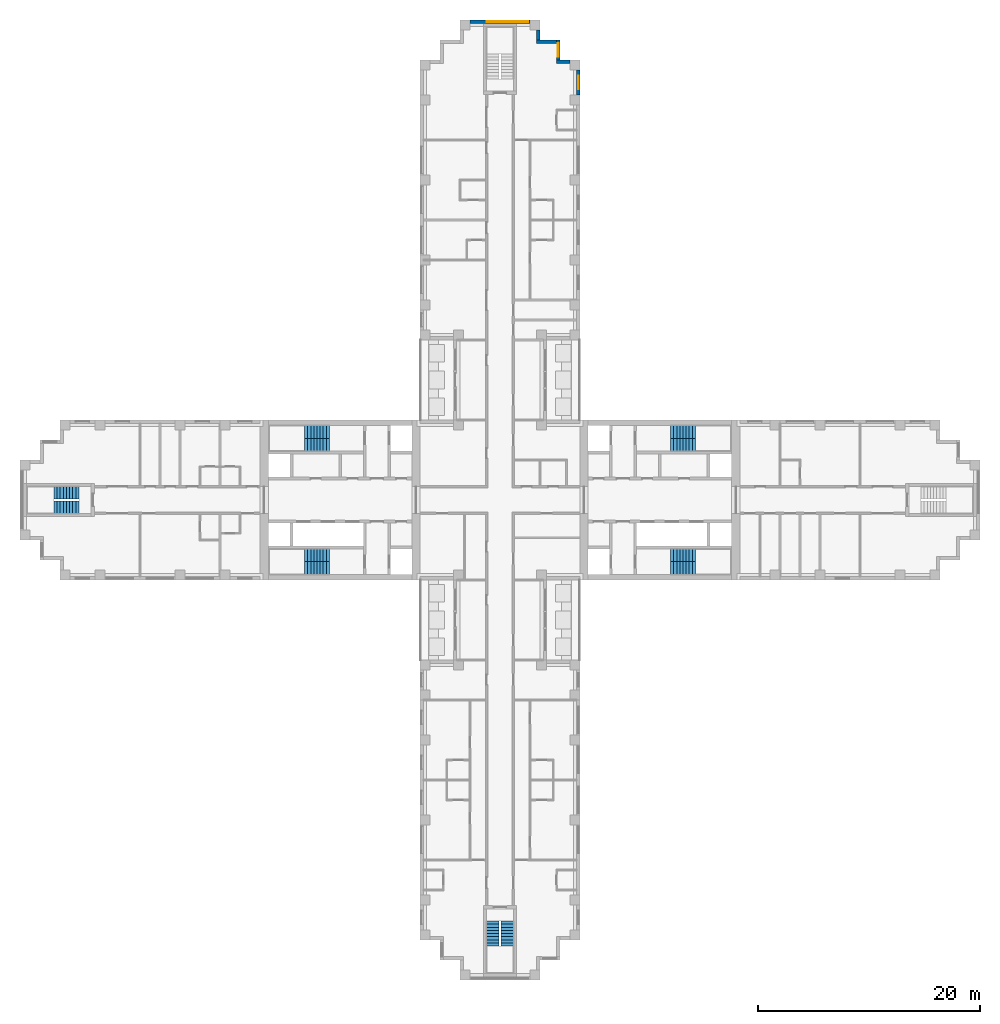
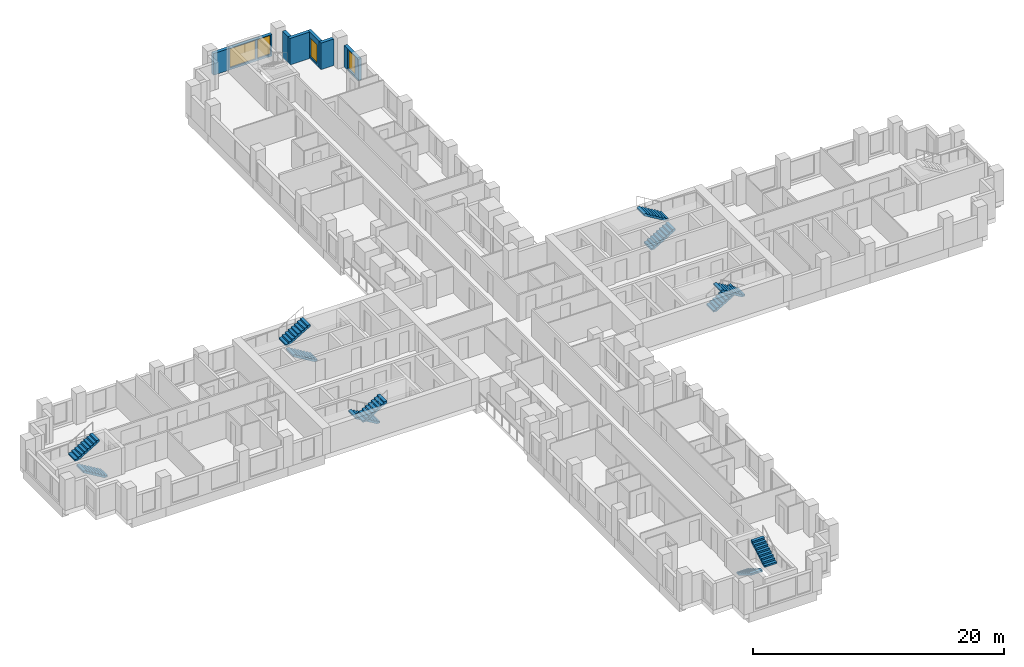
# One storey, part 12 of 15: 12 stair flights, 6 walls, 4 windows, 4 openings, 6 elements without a shape of their own.
"""IFC4 building model written with IfcOpenShell, lengths in metres."""

from ifc_helpers import new_model, si_unit, direction, frame, frame_2d, origin, place, context, subcontext, project, spatial, polyline, rectangle, outline, extrude, material, layer, layer_set, type_object, element, fill, aggregate, save


model = new_model("IFC4")

# Units and contexts
model_context = context("Model", 3, precision=1e-05, world=origin(), true_north=direction((0.0, 1.0)))
body_context = subcontext(model_context, "Body", "Model", "MODEL_VIEW")
ifc_project = project(units=[si_unit("LENGTHUNIT", "METRE"), si_unit("AREAUNIT", "SQUARE_METRE"), si_unit("VOLUMEUNIT", "CUBIC_METRE"), si_unit("PLANEANGLEUNIT", "RADIAN"), si_unit("MASSUNIT", "GRAM", prefix="KILO")], contexts=[model_context])

# Site, building, storey
site_placement = place(None, origin())
site = spatial("IfcSite", under=ifc_project, at=site_placement, CompositionType="ELEMENT")
building_placement = place(site_placement, origin())
building = spatial("IfcBuilding", under=site, at=building_placement, Name="Fustian Cross Tower", CompositionType="ELEMENT")
storey_placement = place(building_placement, frame((0.0, 0.0, 47.699951171875)))
storey = spatial("IfcBuildingStorey", under=building, at=storey_placement, Name="L14", CompositionType="ELEMENT", Elevation=47.699951171875)

# Wall, opening, window
ifc_material_1 = material(Name="Dark aluminium cladding on insulated backing wall", Category="aluminium")
ifc_layer = layer(ifc_material_1, 0.300048828125)
ifc_layer_set = layer_set([ifc_layer], Name="Dark aluminium cladding on insulated backing wall")
wall_type = type_object("IfcWallType", Name="XW1 EXTERNAL WALL 300", PredefinedType="SOLIDWALL", material=ifc_layer_set)
wall_1_placement = place(storey_placement, frame((7.050048828125, 36.449951171875, 0.0), z_axis=(0.0, 0.0, 1.0), x_axis=(0.0, 1.0, 0.0)))
wall_1 = element("IfcWall", 1, at=wall_1_placement, inside=storey, type_object=wall_type, Name="External wall", PredefinedType="SOLIDWALL", context=body_context, shape_type="SweptSolid", body=[
    extrude(rectangle(XDim=2.25, YDim=0.300048828125, at=frame_2d((1.125, 0.0))), origin(), (0.0, 0.0, 1.0), 2.10009765625),
])
opening_1_placement = place(wall_1_placement, frame((0.52490234375, 0.0, 0.199951171875)))
opening_1 = element("IfcOpeningElement", 2, at=opening_1_placement, cuts=wall_1, Name="Opening WN3", PredefinedType="OPENING", context=body_context, shape_type="SweptSolid", body=[
    extrude(rectangle(XDim=1.199951171875, YDim=1.85009765625, at=frame_2d((0.60009765625, 0.925048828125))), frame((0.0, 0.159912109375, 0.0), z_axis=(0.0, -1.0, 0.0), x_axis=(1.0, 0.0, 0.0)), (0.0, 0.0, 1.0), 0.320068359375),
])
ifc_material_2 = material(Name="Dark anodised aluminium and double glazing", Category="aluminium")
window_type_1 = type_object("IfcWindowType", Name="WN3 WINDOW 1200X1850", PartitioningType="SINGLE_PANEL", PredefinedType="WINDOW", material=ifc_material_2)
window_1_placement = place(opening_1_placement, origin())
window_1 = element("IfcWindow", 3, at=window_1_placement, inside=storey, type_object=window_type_1, Name="Window", OverallHeight=1.85009765625, OverallWidth=1.199951171875, PartitioningType="SINGLE_PANEL", PredefinedType="WINDOW", context=body_context, shape_type="SweptSolid", body=[
    extrude(rectangle(XDim=1.199951171875, YDim=1.85009765625, at=frame_2d((0.60009765625, 0.925048828125))), frame((0.0, 0.030029296875, 0.0), z_axis=(0.0, -1.0, 0.0), x_axis=(1.0, 0.0, 0.0)), (0.0, 0.0, 1.0), 0.06005859375),
])
fill(opening_1, window_1)

# Wall
wall_2_placement = place(storey_placement, frame((6.300048828125, 39.449951171875, 0.0), z_axis=(0.0, 0.0, 1.0), x_axis=(-1.0, 0.0, 0.0)))
element("IfcWall", 4, at=wall_2_placement, inside=storey, type_object=wall_type, Name="External wall", PredefinedType="SOLIDWALL", context=body_context, shape_type="SweptSolid", body=[
    extrude(rectangle(XDim=1.199951171875, YDim=0.300048828125, at=frame_2d((0.60009765625, 0.0))), origin(), (0.0, 0.0, 1.0), 2.574951171875),
])

# Wall, opening, window
wall_3_placement = place(storey_placement, frame((5.25, 39.60009765625, 0.0), z_axis=(0.0, 0.0, 1.0), x_axis=(0.0, 1.0, 0.0)))
wall_3 = element("IfcWall", 5, at=wall_3_placement, inside=storey, type_object=wall_type, Name="External wall", PredefinedType="SOLIDWALL", context=body_context, shape_type="SweptSolid", body=[
    extrude(rectangle(XDim=1.7998046875, YDim=0.300048828125, at=frame_2d((0.89990234375, 0.0))), origin(), (0.0, 0.0, 1.0), 2.574951171875),
])
opening_2_placement = place(wall_3_placement, frame((0.300048828125, 0.0, 0.199951171875)))
opening_2 = element("IfcOpeningElement", 6, at=opening_2_placement, cuts=wall_3, Name="Opening WN3", PredefinedType="OPENING", context=body_context, shape_type="SweptSolid", body=[
    extrude(rectangle(XDim=1.199951171875, YDim=1.85009765625, at=frame_2d((0.60009765625, 0.925048828125))), frame((0.0, 0.159912109375, 0.0), z_axis=(0.0, -1.0, 0.0), x_axis=(1.0, 0.0, 0.0)), (0.0, 0.0, 1.0), 0.320068359375),
])
window_2_placement = place(opening_2_placement, origin())
window_2 = element("IfcWindow", 7, at=window_2_placement, inside=storey, type_object=window_type_1, Name="Window", OverallHeight=1.85009765625, OverallWidth=1.199951171875, PartitioningType="SINGLE_PANEL", PredefinedType="WINDOW", context=body_context, shape_type="SweptSolid", body=[
    extrude(rectangle(XDim=1.199951171875, YDim=1.85009765625, at=frame_2d((0.60009765625, 0.925048828125))), frame((0.0, 0.030029296875, 0.0), z_axis=(0.0, -1.0, 0.0), x_axis=(1.0, 0.0, 0.0)), (0.0, 0.0, 1.0), 0.06005859375),
])
fill(opening_2, window_2)

# Walls
wall_4_placement = place(storey_placement, frame((5.10009765625, 41.25, 0.0), z_axis=(0.0, 0.0, 1.0), x_axis=(-1.0, 0.0, 0.0)))
element("IfcWall", 8, at=wall_4_placement, inside=storey, type_object=wall_type, Name="External wall", PredefinedType="SOLIDWALL", context=body_context, shape_type="SweptSolid", body=[
    extrude(rectangle(XDim=1.800048828125, YDim=0.300048828125, at=frame_2d((0.89990234375, 0.0))), origin(), (0.0, 0.0, 1.0), 2.574951171875),
])
wall_5_placement = place(storey_placement, frame((3.449951171875, 41.39990234375, 0.0), z_axis=(0.0, 0.0, 1.0), x_axis=(0.0, 1.0, 0.0)))
element("IfcWall", 9, at=wall_5_placement, inside=storey, type_object=wall_type, Name="External wall", PredefinedType="SOLIDWALL", context=body_context, shape_type="SweptSolid", body=[
    extrude(rectangle(XDim=0.900146484375, YDim=0.300048828125, at=frame_2d((0.4501953125, 0.0))), origin(), (0.0, 0.0, 1.0), 2.574951171875),
])

# Wall, openings, windows
wall_6_placement = place(storey_placement, frame((2.699951171875, 43.050048828125, 0.0), z_axis=(0.0, 0.0, 1.0), x_axis=(-1.0, 0.0, 0.0)))
wall_6 = element("IfcWall", 10, at=wall_6_placement, inside=storey, type_object=wall_type, Name="External wall", PredefinedType="SOLIDWALL", context=body_context, shape_type="SweptSolid", body=[
    extrude(rectangle(XDim=5.39990234375, YDim=0.300048828125, at=frame_2d((2.699951171875, 0.0))), origin(), (0.0, 0.0, 1.0), 2.10009765625),
])
opening_3_placement = place(wall_6_placement, frame((1.5, 0.0, 0.199951171875)))
opening_3 = element("IfcOpeningElement", 11, at=opening_3_placement, cuts=wall_6, Name="Opening WN1", PredefinedType="OPENING", context=body_context, shape_type="SweptSolid", body=[
    extrude(rectangle(XDim=2.39990234375, YDim=1.85009765625, at=frame_2d((1.199951171875, 0.925048828125))), frame((0.0, 0.159912109375, 0.0), z_axis=(0.0, -1.0, 0.0), x_axis=(1.0, 0.0, 0.0)), (0.0, 0.0, 1.0), 0.320068359375),
])
opening_4_placement = place(wall_6_placement, frame((0.14990234375, 0.0, 0.199951171875)))
opening_4 = element("IfcOpeningElement", 12, at=opening_4_placement, cuts=wall_6, Name="Opening WN3", PredefinedType="OPENING", context=body_context, shape_type="SweptSolid", body=[
    extrude(rectangle(XDim=1.199951171875, YDim=1.85009765625, at=frame_2d((0.60009765625, 0.925048828125))), frame((0.0, 0.159912109375, 0.0), z_axis=(0.0, -1.0, 0.0), x_axis=(1.0, 0.0, 0.0)), (0.0, 0.0, 1.0), 0.320068359375),
])
ifc_material_3 = material(Name="Dark anodised aluminium and double glazing", Category="aluminium")
window_type_2 = type_object("IfcWindowType", Name="WN1 WINDOW 2400X1850", PartitioningType="SINGLE_PANEL", PredefinedType="WINDOW", material=ifc_material_3)
window_3_placement = place(opening_3_placement, origin())
window_3 = element("IfcWindow", 13, at=window_3_placement, inside=storey, type_object=window_type_2, Name="Window", OverallHeight=1.85009765625, OverallWidth=2.39990234375, PartitioningType="SINGLE_PANEL", PredefinedType="WINDOW", context=body_context, shape_type="SweptSolid", body=[
    extrude(rectangle(XDim=2.39990234375, YDim=1.85009765625, at=frame_2d((1.199951171875, 0.925048828125))), frame((0.0, 0.030029296875, 0.0), z_axis=(0.0, -1.0, 0.0), x_axis=(1.0, 0.0, 0.0)), (0.0, 0.0, 1.0), 0.06005859375),
])
fill(opening_3, window_3)
window_4_placement = place(opening_4_placement, origin())
window_4 = element("IfcWindow", 14, at=window_4_placement, inside=storey, type_object=window_type_1, Name="Window", OverallHeight=1.85009765625, OverallWidth=1.199951171875, PartitioningType="SINGLE_PANEL", PredefinedType="WINDOW", context=body_context, shape_type="SweptSolid", body=[
    extrude(rectangle(XDim=1.199951171875, YDim=1.85009765625, at=frame_2d((0.60009765625, 0.925048828125))), frame((0.0, 0.030029296875, 0.0), z_axis=(0.0, -1.0, 0.0), x_axis=(1.0, 0.0, 0.0)), (0.0, 0.0, 1.0), 0.06005859375),
])
fill(opening_4, window_4)

# Stair, stair flights
ifc_material_4 = material(Name="Concrete C50/60", Category="concrete")
stair_type_1 = type_object("IfcStairType", Name="STAIR 1100 HALF TURN", PredefinedType="HALF_TURN_STAIR", material=ifc_material_4)
stair_1_placement = place(storey_placement, origin())
stair_1 = element("IfcStair", 15, at=stair_1_placement, inside=storey, type_object=stair_type_1, Name="Stair ST6", PredefinedType="HALF_TURN_STAIR")
ifc_material_5 = material(Name="Concrete C50/60", Category="concrete")
stair_flight_type_1 = type_object("IfcStairFlightType", Name="STAIR FLIGHT 1100", PredefinedType="STRAIGHT", material=ifc_material_5)
stair_flight_1_placement = place(storey_placement, frame((-0.64990234375, -37.89990234375, 0.0), z_axis=(0.0, 0.0, 1.0), x_axis=(0.0, -1.0, 0.0)))
stair_flight_1 = element("IfcStairFlight", 16, at=stair_flight_1_placement, type_object=stair_flight_type_1, Name="ST6 flight 1", NumberOfRisers=9, NumberOfTreads=8, PredefinedType="STRAIGHT", RiserHeight=0.166666667, TreadLength=0.28, context=body_context, shape_type="SweptSolid", body=[
    extrude(outline(polyline([(0.0, 0.0), (0.0, 0.166748046875), (0.280029296875, 0.166748046875), (0.280029296875, 0.333251953125), (0.56005859375, 0.333251953125), (0.56005859375, 0.5), (0.840087890625, 0.5), (0.840087890625, 0.666748046875), (1.1201171875, 0.666748046875), (1.1201171875, 0.833251953125), (1.39990234375, 0.833251953125), (1.39990234375, 1.0), (1.679931640625, 1.0), (1.679931640625, 1.166748046875), (1.9599609375, 1.166748046875), (1.9599609375, 1.333251953125), (2.239990234375, 1.333251953125), (2.239990234375, 1.5), (2.239990234375, 1.158935546875), (0.29296875, 0.0), (0.0, 0.0)])), frame((0.0, 0.550048828125, 0.0), z_axis=(0.0, -1.0, 0.0), x_axis=(1.0, 0.0, 0.0)), (0.0, 0.0, 1.0), 1.10009765625),
])
stair_flight_2_placement = place(storey_placement, frame((0.64990234375, -40.139892578125, 1.5), z_axis=(0.0, 0.0, 1.0), x_axis=(0.0, 1.0, 0.0)))
stair_flight_2 = element("IfcStairFlight", 17, at=stair_flight_2_placement, type_object=stair_flight_type_1, Name="ST6 flight 2", NumberOfRisers=9, NumberOfTreads=8, PredefinedType="STRAIGHT", RiserHeight=0.166666667, TreadLength=0.28, context=body_context, shape_type="SweptSolid", body=[
    extrude(outline(polyline([(0.0, 0.0), (0.0, 0.166748046875), (0.280029296875, 0.166748046875), (0.280029296875, 0.333251953125), (0.56005859375, 0.333251953125), (0.56005859375, 0.5), (0.840087890625, 0.5), (0.840087890625, 0.666748046875), (1.1201171875, 0.666748046875), (1.1201171875, 0.833251953125), (1.39990234375, 0.833251953125), (1.39990234375, 1.0), (1.679931640625, 1.0), (1.679931640625, 1.166748046875), (1.9599609375, 1.166748046875), (1.9599609375, 1.333251953125), (2.239990234375, 1.333251953125), (2.239990234375, 1.5), (2.239990234375, 1.158935546875), (0.29296875, 0.0), (0.0, 0.0)])), frame((0.0, 0.550048828125, 0.0), z_axis=(0.0, -1.0, 0.0), x_axis=(1.0, 0.0, 0.0)), (0.0, 0.0, 1.0), 1.10009765625),
])
aggregate(stair_1, [stair_flight_1, stair_flight_2])

stair_2_placement = place(storey_placement, origin())
stair_2 = element("IfcStair", 18, at=stair_2_placement, inside=storey, type_object=stair_type_1, Name="Stair ST9", PredefinedType="HALF_TURN_STAIR")
stair_flight_3_placement = place(storey_placement, frame((-37.89990234375, -0.64990234375, 0.0), z_axis=(0.0, 0.0, 1.0), x_axis=(-1.0, 0.0, 0.0)))
stair_flight_3 = element("IfcStairFlight", 19, at=stair_flight_3_placement, type_object=stair_flight_type_1, Name="ST9 flight 1", NumberOfRisers=9, NumberOfTreads=8, PredefinedType="STRAIGHT", RiserHeight=0.166666667, TreadLength=0.28, context=body_context, shape_type="SweptSolid", body=[
    extrude(outline(polyline([(0.0, 0.0), (0.0, 0.166748046875), (0.280029296875, 0.166748046875), (0.280029296875, 0.333251953125), (0.56005859375, 0.333251953125), (0.56005859375, 0.5), (0.840087890625, 0.5), (0.840087890625, 0.666748046875), (1.1201171875, 0.666748046875), (1.1201171875, 0.833251953125), (1.39990234375, 0.833251953125), (1.39990234375, 1.0), (1.679931640625, 1.0), (1.679931640625, 1.166748046875), (1.9599609375, 1.166748046875), (1.9599609375, 1.333251953125), (2.239990234375, 1.333251953125), (2.239990234375, 1.5), (2.239990234375, 1.158935546875), (0.29296875, 0.0), (0.0, 0.0)])), frame((0.0, 0.550048828125, 0.0), z_axis=(0.0, -1.0, 0.0), x_axis=(1.0, 0.0, 0.0)), (0.0, 0.0, 1.0), 1.10009765625),
])
stair_flight_4_placement = place(storey_placement, frame((-40.139892578125, 0.64990234375, 1.5), z_axis=(0.0, 0.0, 1.0), x_axis=(1.0, 0.0, 0.0)))
stair_flight_4 = element("IfcStairFlight", 20, at=stair_flight_4_placement, type_object=stair_flight_type_1, Name="ST9 flight 2", NumberOfRisers=9, NumberOfTreads=8, PredefinedType="STRAIGHT", RiserHeight=0.166666667, TreadLength=0.28, context=body_context, shape_type="SweptSolid", body=[
    extrude(outline(polyline([(0.0, 0.0), (0.0, 0.166748046875), (0.280029296875, 0.166748046875), (0.280029296875, 0.333251953125), (0.56005859375, 0.333251953125), (0.56005859375, 0.5), (0.840087890625, 0.5), (0.840087890625, 0.666748046875), (1.1201171875, 0.666748046875), (1.1201171875, 0.833251953125), (1.39990234375, 0.833251953125), (1.39990234375, 1.0), (1.679931640625, 1.0), (1.679931640625, 1.166748046875), (1.9599609375, 1.166748046875), (1.9599609375, 1.333251953125), (2.239990234375, 1.333251953125), (2.239990234375, 1.5), (2.239990234375, 1.158935546875), (0.29296875, 0.0), (0.0, 0.0)])), frame((0.0, 0.550048828125, 0.0), z_axis=(0.0, -1.0, 0.0), x_axis=(1.0, 0.0, 0.0)), (0.0, 0.0, 1.0), 1.10009765625),
])
aggregate(stair_2, [stair_flight_3, stair_flight_4])

ifc_material_6 = material(Name="Concrete C50/60", Category="concrete")
stair_type_2 = type_object("IfcStairType", Name="STAIR 1150 HALF TURN", PredefinedType="HALF_TURN_STAIR", material=ifc_material_6)
stair_3_placement = place(storey_placement, origin())
stair_3 = element("IfcStair", 21, at=stair_3_placement, inside=storey, type_object=stair_type_2, Name="Stair ST1", PredefinedType="HALF_TURN_STAIR")
ifc_material_7 = material(Name="Concrete C50/60", Category="concrete")
stair_flight_type_2 = type_object("IfcStairFlightType", Name="STAIR FLIGHT 1150", PredefinedType="STRAIGHT", material=ifc_material_7)
stair_flight_5_placement = place(storey_placement, frame((15.35009765625, 4.97509765625, 0.0), z_axis=(0.0, 0.0, 1.0), x_axis=(1.0, 0.0, 0.0)))
stair_flight_5 = element("IfcStairFlight", 22, at=stair_flight_5_placement, type_object=stair_flight_type_2, Name="ST1 flight 1", NumberOfRisers=9, NumberOfTreads=8, PredefinedType="STRAIGHT", RiserHeight=0.166666667, TreadLength=0.28, context=body_context, shape_type="SweptSolid", body=[
    extrude(outline(polyline([(0.0, 0.0), (0.0, 0.166748046875), (0.280029296875, 0.166748046875), (0.280029296875, 0.333251953125), (0.56005859375, 0.333251953125), (0.56005859375, 0.5), (0.840087890625, 0.5), (0.840087890625, 0.666748046875), (1.1201171875, 0.666748046875), (1.1201171875, 0.833251953125), (1.39990234375, 0.833251953125), (1.39990234375, 1.0), (1.679931640625, 1.0), (1.679931640625, 1.166748046875), (1.9599609375, 1.166748046875), (1.9599609375, 1.333251953125), (2.239990234375, 1.333251953125), (2.239990234375, 1.5), (2.239990234375, 1.158935546875), (0.29296875, 0.0), (0.0, 0.0)])), frame((0.0, 0.574951171875, 0.0), z_axis=(0.0, -1.0, 0.0), x_axis=(1.0, 0.0, 0.0)), (0.0, 0.0, 1.0), 1.14990234375),
])
stair_flight_6_placement = place(storey_placement, frame((17.590087890625, 6.125, 1.5), z_axis=(0.0, 0.0, 1.0), x_axis=(-1.0, 0.0, 0.0)))
stair_flight_6 = element("IfcStairFlight", 23, at=stair_flight_6_placement, type_object=stair_flight_type_2, Name="ST1 flight 2", NumberOfRisers=9, NumberOfTreads=8, PredefinedType="STRAIGHT", RiserHeight=0.166666667, TreadLength=0.28, context=body_context, shape_type="SweptSolid", body=[
    extrude(outline(polyline([(0.0, 0.0), (0.0, 0.166748046875), (0.280029296875, 0.166748046875), (0.280029296875, 0.333251953125), (0.56005859375, 0.333251953125), (0.56005859375, 0.5), (0.840087890625, 0.5), (0.840087890625, 0.666748046875), (1.1201171875, 0.666748046875), (1.1201171875, 0.833251953125), (1.39990234375, 0.833251953125), (1.39990234375, 1.0), (1.679931640625, 1.0), (1.679931640625, 1.166748046875), (1.9599609375, 1.166748046875), (1.9599609375, 1.333251953125), (2.239990234375, 1.333251953125), (2.239990234375, 1.5), (2.239990234375, 1.158935546875), (0.29296875, 0.0), (0.0, 0.0)])), frame((0.0, 0.574951171875, 0.0), z_axis=(0.0, -1.0, 0.0), x_axis=(1.0, 0.0, 0.0)), (0.0, 0.0, 1.0), 1.14990234375),
])
aggregate(stair_3, [stair_flight_5, stair_flight_6])

stair_4_placement = place(storey_placement, origin())
stair_4 = element("IfcStair", 24, at=stair_4_placement, inside=storey, type_object=stair_type_2, Name="Stair ST2", PredefinedType="HALF_TURN_STAIR")
stair_flight_7_placement = place(storey_placement, frame((15.35009765625, -4.97509765625, 0.0), z_axis=(0.0, 0.0, 1.0), x_axis=(1.0, 0.0, 0.0)))
stair_flight_7 = element("IfcStairFlight", 25, at=stair_flight_7_placement, type_object=stair_flight_type_2, Name="ST2 flight 1", NumberOfRisers=9, NumberOfTreads=8, PredefinedType="STRAIGHT", RiserHeight=0.166666667, TreadLength=0.28, context=body_context, shape_type="SweptSolid", body=[
    extrude(outline(polyline([(0.0, 0.0), (0.0, 0.166748046875), (0.280029296875, 0.166748046875), (0.280029296875, 0.333251953125), (0.56005859375, 0.333251953125), (0.56005859375, 0.5), (0.840087890625, 0.5), (0.840087890625, 0.666748046875), (1.1201171875, 0.666748046875), (1.1201171875, 0.833251953125), (1.39990234375, 0.833251953125), (1.39990234375, 1.0), (1.679931640625, 1.0), (1.679931640625, 1.166748046875), (1.9599609375, 1.166748046875), (1.9599609375, 1.333251953125), (2.239990234375, 1.333251953125), (2.239990234375, 1.5), (2.239990234375, 1.158935546875), (0.29296875, 0.0), (0.0, 0.0)])), frame((0.0, 0.574951171875, 0.0), z_axis=(0.0, -1.0, 0.0), x_axis=(1.0, 0.0, 0.0)), (0.0, 0.0, 1.0), 1.14990234375),
])
stair_flight_8_placement = place(storey_placement, frame((17.590087890625, -6.125, 1.5), z_axis=(0.0, 0.0, 1.0), x_axis=(-1.0, 0.0, 0.0)))
stair_flight_8 = element("IfcStairFlight", 26, at=stair_flight_8_placement, type_object=stair_flight_type_2, Name="ST2 flight 2", NumberOfRisers=9, NumberOfTreads=8, PredefinedType="STRAIGHT", RiserHeight=0.166666667, TreadLength=0.28, context=body_context, shape_type="SweptSolid", body=[
    extrude(outline(polyline([(0.0, 0.0), (0.0, 0.166748046875), (0.280029296875, 0.166748046875), (0.280029296875, 0.333251953125), (0.56005859375, 0.333251953125), (0.56005859375, 0.5), (0.840087890625, 0.5), (0.840087890625, 0.666748046875), (1.1201171875, 0.666748046875), (1.1201171875, 0.833251953125), (1.39990234375, 0.833251953125), (1.39990234375, 1.0), (1.679931640625, 1.0), (1.679931640625, 1.166748046875), (1.9599609375, 1.166748046875), (1.9599609375, 1.333251953125), (2.239990234375, 1.333251953125), (2.239990234375, 1.5), (2.239990234375, 1.158935546875), (0.29296875, 0.0), (0.0, 0.0)])), frame((0.0, 0.574951171875, 0.0), z_axis=(0.0, -1.0, 0.0), x_axis=(1.0, 0.0, 0.0)), (0.0, 0.0, 1.0), 1.14990234375),
])
aggregate(stair_4, [stair_flight_7, stair_flight_8])

stair_5_placement = place(storey_placement, origin())
stair_5 = element("IfcStair", 27, at=stair_5_placement, inside=storey, type_object=stair_type_2, Name="Stair ST3", PredefinedType="HALF_TURN_STAIR")
stair_flight_9_placement = place(storey_placement, frame((-15.35009765625, 4.97509765625, 0.0), z_axis=(0.0, 0.0, 1.0), x_axis=(-1.0, 0.0, 0.0)))
stair_flight_9 = element("IfcStairFlight", 28, at=stair_flight_9_placement, type_object=stair_flight_type_2, Name="ST3 flight 1", NumberOfRisers=9, NumberOfTreads=8, PredefinedType="STRAIGHT", RiserHeight=0.166666667, TreadLength=0.28, context=body_context, shape_type="SweptSolid", body=[
    extrude(outline(polyline([(0.0, 0.0), (0.0, 0.166748046875), (0.280029296875, 0.166748046875), (0.280029296875, 0.333251953125), (0.56005859375, 0.333251953125), (0.56005859375, 0.5), (0.840087890625, 0.5), (0.840087890625, 0.666748046875), (1.1201171875, 0.666748046875), (1.1201171875, 0.833251953125), (1.39990234375, 0.833251953125), (1.39990234375, 1.0), (1.679931640625, 1.0), (1.679931640625, 1.166748046875), (1.9599609375, 1.166748046875), (1.9599609375, 1.333251953125), (2.239990234375, 1.333251953125), (2.239990234375, 1.5), (2.239990234375, 1.158935546875), (0.29296875, 0.0), (0.0, 0.0)])), frame((0.0, 0.574951171875, 0.0), z_axis=(0.0, -1.0, 0.0), x_axis=(1.0, 0.0, 0.0)), (0.0, 0.0, 1.0), 1.14990234375),
])
stair_flight_10_placement = place(storey_placement, frame((-17.590087890625, 6.125, 1.5), z_axis=(0.0, 0.0, 1.0), x_axis=(1.0, 0.0, 0.0)))
stair_flight_10 = element("IfcStairFlight", 29, at=stair_flight_10_placement, type_object=stair_flight_type_2, Name="ST3 flight 2", NumberOfRisers=9, NumberOfTreads=8, PredefinedType="STRAIGHT", RiserHeight=0.166666667, TreadLength=0.28, context=body_context, shape_type="SweptSolid", body=[
    extrude(outline(polyline([(0.0, 0.0), (0.0, 0.166748046875), (0.280029296875, 0.166748046875), (0.280029296875, 0.333251953125), (0.56005859375, 0.333251953125), (0.56005859375, 0.5), (0.840087890625, 0.5), (0.840087890625, 0.666748046875), (1.1201171875, 0.666748046875), (1.1201171875, 0.833251953125), (1.39990234375, 0.833251953125), (1.39990234375, 1.0), (1.679931640625, 1.0), (1.679931640625, 1.166748046875), (1.9599609375, 1.166748046875), (1.9599609375, 1.333251953125), (2.239990234375, 1.333251953125), (2.239990234375, 1.5), (2.239990234375, 1.158935546875), (0.29296875, 0.0), (0.0, 0.0)])), frame((0.0, 0.574951171875, 0.0), z_axis=(0.0, -1.0, 0.0), x_axis=(1.0, 0.0, 0.0)), (0.0, 0.0, 1.0), 1.14990234375),
])
aggregate(stair_5, [stair_flight_9, stair_flight_10])

stair_6_placement = place(storey_placement, origin())
stair_6 = element("IfcStair", 30, at=stair_6_placement, inside=storey, type_object=stair_type_2, Name="Stair ST4", PredefinedType="HALF_TURN_STAIR")
stair_flight_11_placement = place(storey_placement, frame((-15.35009765625, -4.97509765625, 0.0), z_axis=(0.0, 0.0, 1.0), x_axis=(-1.0, 0.0, 0.0)))
stair_flight_11 = element("IfcStairFlight", 31, at=stair_flight_11_placement, type_object=stair_flight_type_2, Name="ST4 flight 1", NumberOfRisers=9, NumberOfTreads=8, PredefinedType="STRAIGHT", RiserHeight=0.166666667, TreadLength=0.28, context=body_context, shape_type="SweptSolid", body=[
    extrude(outline(polyline([(0.0, 0.0), (0.0, 0.166748046875), (0.280029296875, 0.166748046875), (0.280029296875, 0.333251953125), (0.56005859375, 0.333251953125), (0.56005859375, 0.5), (0.840087890625, 0.5), (0.840087890625, 0.666748046875), (1.1201171875, 0.666748046875), (1.1201171875, 0.833251953125), (1.39990234375, 0.833251953125), (1.39990234375, 1.0), (1.679931640625, 1.0), (1.679931640625, 1.166748046875), (1.9599609375, 1.166748046875), (1.9599609375, 1.333251953125), (2.239990234375, 1.333251953125), (2.239990234375, 1.5), (2.239990234375, 1.158935546875), (0.29296875, 0.0), (0.0, 0.0)])), frame((0.0, 0.574951171875, 0.0), z_axis=(0.0, -1.0, 0.0), x_axis=(1.0, 0.0, 0.0)), (0.0, 0.0, 1.0), 1.14990234375),
])
stair_flight_12_placement = place(storey_placement, frame((-17.590087890625, -6.125, 1.5), z_axis=(0.0, 0.0, 1.0), x_axis=(1.0, 0.0, 0.0)))
stair_flight_12 = element("IfcStairFlight", 32, at=stair_flight_12_placement, type_object=stair_flight_type_2, Name="ST4 flight 2", NumberOfRisers=9, NumberOfTreads=8, PredefinedType="STRAIGHT", RiserHeight=0.166666667, TreadLength=0.28, context=body_context, shape_type="SweptSolid", body=[
    extrude(outline(polyline([(0.0, 0.0), (0.0, 0.166748046875), (0.280029296875, 0.166748046875), (0.280029296875, 0.333251953125), (0.56005859375, 0.333251953125), (0.56005859375, 0.5), (0.840087890625, 0.5), (0.840087890625, 0.666748046875), (1.1201171875, 0.666748046875), (1.1201171875, 0.833251953125), (1.39990234375, 0.833251953125), (1.39990234375, 1.0), (1.679931640625, 1.0), (1.679931640625, 1.166748046875), (1.9599609375, 1.166748046875), (1.9599609375, 1.333251953125), (2.239990234375, 1.333251953125), (2.239990234375, 1.5), (2.239990234375, 1.158935546875), (0.29296875, 0.0), (0.0, 0.0)])), frame((0.0, 0.574951171875, 0.0), z_axis=(0.0, -1.0, 0.0), x_axis=(1.0, 0.0, 0.0)), (0.0, 0.0, 1.0), 1.14990234375),
])
aggregate(stair_6, [stair_flight_11, stair_flight_12])

save(model, "model.ifc")
